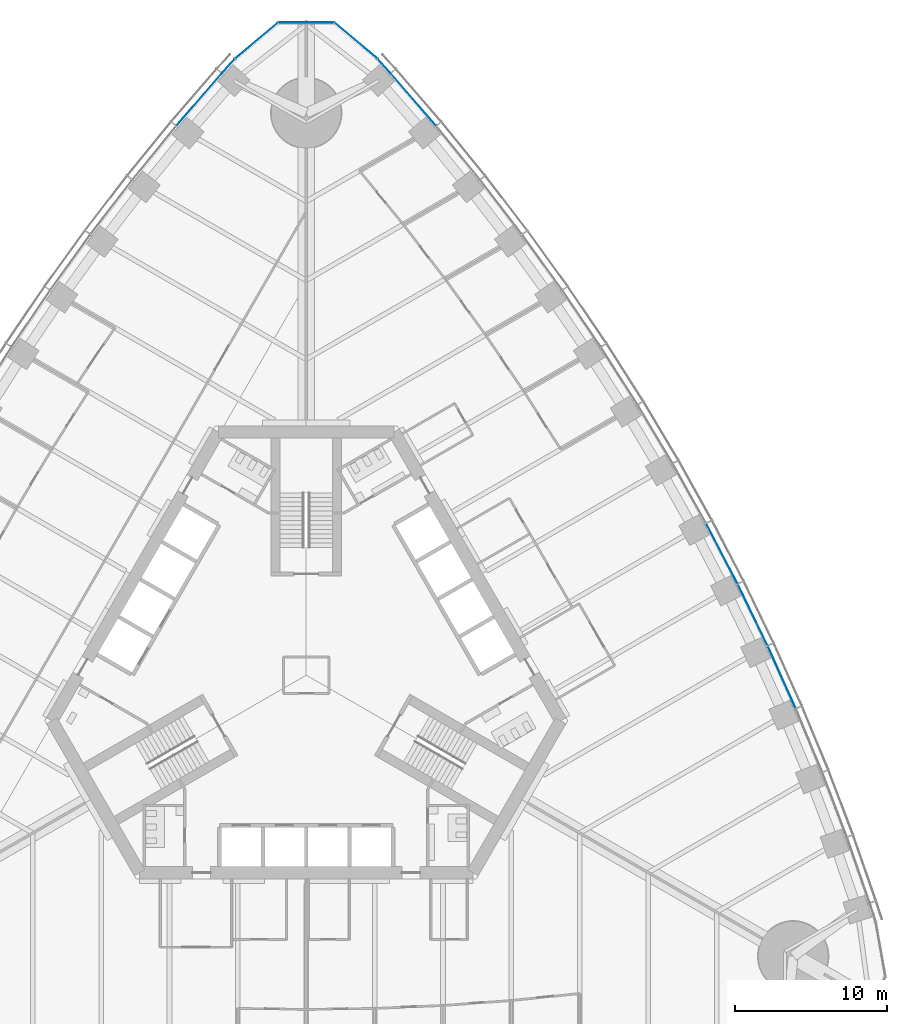
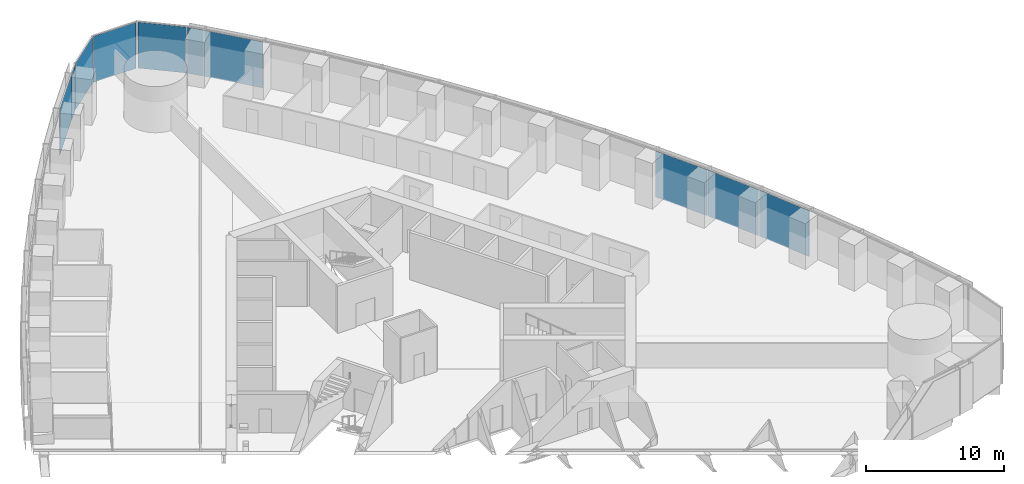
# One storey, part 9 of 18: 10 plates, 3 elements without a shape of their own.
"""IFC4 building model written with IfcOpenShell, lengths in metres."""

import ifcopenshell
import ifcopenshell.guid

model = None  # the IFC model being written
_history = None  # IfcOwnerHistory: only IFC2X3 demands one
_inside = {}  # id of a spatial element -> (the spatial element, [elements in it])
_under = {}  # id of a project, library or spatial element -> (it, [spatial elements below it])
_declared = {}  # id of a project -> (the project, [libraries it declares])
_typed = {}  # id of a type object -> (the type object, [elements of that type])
_made_of = {}  # id of a material, layer set ... -> (it, [elements and type objects made of it])


def new_model(schema):
    """Start an empty IFC model of exactly this schema.

    Asked for "IFC4X3", IfcOpenShell would pick the latest addendum, in which some entities
    have other attributes; the version numbers below select the first issue.
    IFC2X3 requires an IfcOwnerHistory on every rooted entity: one is made here for all.
    """
    global model, _history
    if schema == "IFC4X3":
        model = ifcopenshell.file(schema_version=(4, 3, 0, 0))
    else:
        model = ifcopenshell.file(schema=schema)
    _inside.clear()
    _under.clear()
    _declared.clear()
    _typed.clear()
    _made_of.clear()
    _history = None
    if model.schema == "IFC2X3":
        org = make("IfcOrganization", Name="unknown")
        user = make(
            "IfcPersonAndOrganization",
            ThePerson=make("IfcPerson", FamilyName="unknown"),
            TheOrganization=org,
        )
        app = make(
            "IfcApplication",
            ApplicationDeveloper=org,
            Version="unknown",
            ApplicationFullName="unknown",
            ApplicationIdentifier="unknown",
        )
        _history = make(
            "IfcOwnerHistory",
            OwningUser=user,
            OwningApplication=app,
            ChangeAction="ADDED",
            CreationDate=0,
        )
    return model


def make(cls, **values):
    """One entity of the class cls with the attributes given. An attribute that is None is left unset."""
    return model.create_entity(
        cls, **{name: value for name, value in values.items() if value is not None}
    )


def rooted(cls, **values):
    """An entity with a GlobalId (a new one), such as an element, a storey or a relation."""
    return make(cls, GlobalId=ifcopenshell.guid.new(), OwnerHistory=_history, **values)


def si_unit(unit_type, name, prefix=None):
    """IfcSIUnit, for example si_unit("LENGTHUNIT", "METRE", prefix="MILLI")."""
    return make("IfcSIUnit", UnitType=unit_type, Prefix=prefix, Name=name)


def assignment(units):
    """IfcUnitAssignment: the units of a project."""
    return None if units is None else make("IfcUnitAssignment", Units=units)


def point(xyz):
    """IfcCartesianPoint."""
    return None if xyz is None else make("IfcCartesianPoint", Coordinates=xyz)


def direction(xyz):
    """IfcDirection."""
    return None if xyz is None else make("IfcDirection", DirectionRatios=xyz)


def frame(location, z_axis=None, x_axis=None):
    """IfcAxis2Placement3D, a coordinate frame: its origin and axes. An axis left out is left unset."""
    return make(
        "IfcAxis2Placement3D",
        Location=point(location),
        Axis=direction(z_axis),
        RefDirection=direction(x_axis),
    )


def frame_2d(location, x_axis=None):
    """IfcAxis2Placement2D, a coordinate frame in the plane: its origin and x axis."""
    return make(
        "IfcAxis2Placement2D", Location=point(location), RefDirection=direction(x_axis)
    )


def origin():
    """The frame at (0, 0, 0) with its axes left unset."""
    return frame((0.0, 0.0, 0.0))


def origin_2d():
    """The frame at (0, 0) in the plane with its x axis left unset."""
    return frame_2d((0.0, 0.0))


def place(relative_to, where):
    """IfcLocalPlacement: puts the frame where relative to a parent placement (None: the world)."""
    return make(
        "IfcLocalPlacement", PlacementRelTo=relative_to, RelativePlacement=where
    )


def context(
    kind, dimensions, precision=None, world=None, true_north=None, identifier=None
):
    """IfcGeometricRepresentationContext, for example the 3D "Model" context."""
    return make(
        "IfcGeometricRepresentationContext",
        ContextIdentifier=identifier,
        ContextType=kind,
        CoordinateSpaceDimension=dimensions,
        Precision=precision,
        WorldCoordinateSystem=world,
        TrueNorth=true_north,
    )


def subcontext(parent, identifier, kind, view, scale=None):
    """IfcGeometricRepresentationSubContext, for example "Body" below "Model"."""
    return make(
        "IfcGeometricRepresentationSubContext",
        ContextIdentifier=identifier,
        ContextType=kind,
        ParentContext=parent,
        TargetScale=scale,
        TargetView=view,
    )


def project(units=None, contexts=None):
    """IfcProject with its units and contexts."""
    return rooted(
        "IfcProject",
        Name="project",
        RepresentationContexts=contexts,
        UnitsInContext=assignment(units),
    )


def spatial(cls, under=None, at=None, **own):
    """A site, building, storey or space (cls), placed at a placement, below another one or the project."""
    s = rooted(cls, ObjectPlacement=at, **own)
    if under is not None:
        _under.setdefault(under.id(), (under, []))[1].append(s)
    return s


def profile(cls, at=None, kind="AREA", **sizes):
    """A parametric profile (cls). Its sizes go by their IFC names, for example OverallWidth=200.0."""
    return make(cls, ProfileType=kind, Position=at, **sizes)


def rectangle(**sizes):
    """IfcRectangleProfileDef."""
    return profile("IfcRectangleProfileDef", **sizes)


def extrude(swept, where, along, depth):
    """IfcExtrudedAreaSolid: the profile swept, set in the frame where, extruded along a direction by depth."""
    return make(
        "IfcExtrudedAreaSolid",
        SweptArea=swept,
        Position=where,
        ExtrudedDirection=direction(along),
        Depth=depth,
    )


def shape(context_of_items, identifier, shape_type, items):
    """IfcShapeRepresentation: the items that make up one representation, for example the "Body"."""
    return make(
        "IfcShapeRepresentation",
        ContextOfItems=context_of_items,
        RepresentationIdentifier=identifier,
        RepresentationType=shape_type,
        Items=items,
    )


def material(Name=None, Category=None):
    """IfcMaterial."""
    return make("IfcMaterial", Name=Name, Category=Category)


def layer(
    of_material, thickness, ventilated=None, Name=None, Category=None, Priority=None
):
    """IfcMaterialLayer: one layer of a wall or slab, of a material (None: an air gap)."""
    return make(
        "IfcMaterialLayer",
        Material=of_material,
        LayerThickness=thickness,
        IsVentilated=ventilated,
        Name=Name,
        Category=Category,
        Priority=Priority,
    )


def layer_set(layers, Name=None):
    """IfcMaterialLayerSet."""
    return make("IfcMaterialLayerSet", MaterialLayers=layers, LayerSetName=Name)


def made_of(thing, what):
    """Note that an element or type object is made of a material, layer set ...; save() writes the relation."""
    if what is not None:
        _made_of.setdefault(what.id(), (what, []))[1].append(thing)
    return thing


def type_object(cls, material=None, **own):
    """A type object (cls), such as IfcWallType, which elements share."""
    return made_of(rooted(cls, **own), material)


def element(
    cls,
    number,
    at=None,
    inside=None,
    cuts=None,
    type_object=None,
    material=None,
    context=None,
    identifier="Body",
    shape_type=None,
    held_by="IfcProductDefinitionShape",
    body=None,
    shapes=None,
    **own,
):
    """One element of the class cls, such as IfcWall. Its Tag is "e" and its number.

    at: its placement. inside: the storey or other place that contains it. cuts: it is an
    opening in that element (IfcRelVoidsElement). A single representation is given by context,
    identifier, shape_type and body (its items); several are given by shapes. held_by: the class
    of the entity that holds the representations. save() writes the other relations.
    """
    e = rooted(cls, Tag="e%d" % number, ObjectPlacement=at, **own)
    if body is not None:
        shapes = [shape(context, identifier, shape_type, body)]
    if shapes is not None:
        e.Representation = make(held_by, Representations=shapes)
    if inside is not None:
        _inside.setdefault(inside.id(), (inside, []))[1].append(e)
    if cuts is not None:
        rooted(
            "IfcRelVoidsElement", RelatingBuildingElement=cuts, RelatedOpeningElement=e
        )
    if type_object is not None:
        _typed.setdefault(type_object.id(), (type_object, []))[1].append(e)
    return made_of(e, material)


def aggregate(whole, parts):
    """IfcRelAggregates: a whole, such as a stair, and the parts it consists of."""
    return rooted("IfcRelAggregates", RelatingObject=whole, RelatedObjects=parts)


def save(model, path):
    """Write the relations noted so far, then the file.

    IfcRelAggregates (storeys below a building ...), IfcRelContainedInSpatialStructure (elements
    in a storey), IfcRelDefinesByType, IfcRelAssociatesMaterial and IfcRelDeclares: one each for
    every whole, place, type object, material and project.
    """
    for whole, parts in _under.values():
        aggregate(whole, parts)
    for where, things in _inside.values():
        rooted(
            "IfcRelContainedInSpatialStructure",
            RelatedElements=things,
            RelatingStructure=where,
        )
    for kind, things in _typed.values():
        rooted("IfcRelDefinesByType", RelatedObjects=things, RelatingType=kind)
    for what, things in _made_of.values():
        rooted("IfcRelAssociatesMaterial", RelatedObjects=things, RelatingMaterial=what)
    for by, libraries in _declared.values():
        rooted("IfcRelDeclares", RelatingContext=by, RelatedDefinitions=libraries)
    model.write(path)


model = new_model("IFC4")

# Units and contexts
model_context = context("Model", 3, precision=1e-05, world=origin(), true_north=direction((0.0, 1.0)))
body_context = subcontext(model_context, "Body", "Model", "MODEL_VIEW")
ifc_project = project(units=[si_unit("LENGTHUNIT", "METRE"), si_unit("AREAUNIT", "SQUARE_METRE"), si_unit("VOLUMEUNIT", "CUBIC_METRE"), si_unit("PLANEANGLEUNIT", "RADIAN"), si_unit("MASSUNIT", "GRAM", prefix="KILO")], contexts=[model_context])

# Site, building, storey
site_placement = place(None, origin())
site = spatial("IfcSite", under=ifc_project, at=site_placement, CompositionType="ELEMENT")
building_placement = place(site_placement, origin())
building = spatial("IfcBuilding", under=site, at=building_placement, Name="Trefoil Bronze Tower", CompositionType="ELEMENT")
storey_placement = place(building_placement, frame((0.0, 0.0, 24.89990234375)))
storey = spatial("IfcBuildingStorey", under=building, at=storey_placement, Name="L05", CompositionType="ELEMENT", Elevation=24.89990234375)

# Curtain wall, plates
ifc_material_1 = material(Name="Tinted solar-control glass", Category="glass")
curtain_wall_type_1 = type_object("IfcCurtainWallType", Name="Bronze office curtain wall", PredefinedType="USERDEFINED", material=ifc_material_1)
curtain_wall_1_placement = place(storey_placement, origin())
curtain_wall_1 = element("IfcCurtainWall", 1, at=curtain_wall_1_placement, inside=storey, type_object=curtain_wall_type_1, Name="CW-A L05 F2", ObjectType="CURTAIN WALL", PredefinedType="USERDEFINED")
ifc_material_2 = material(Name="Tinted solar-control glass", Category="glass")
ifc_layer_1 = layer(ifc_material_2, 0.030029296875)
ifc_layer_set_1 = layer_set([ifc_layer_1], Name="Bronze office curtain wall glass panel")
plate_type_1 = type_object("IfcPlateType", Name="Bronze office curtain wall glass panel", PredefinedType="CURTAIN_PANEL", material=ifc_layer_set_1)
plate_1_placement = place(storey_placement, frame((31.28857421875, -0.1337890625, 0.0), z_axis=(0.0, 0.0, 1.0), x_axis=(-0.40945635808, 0.912329705111, 0.0)))
plate_1 = element("IfcPlate", 2, at=plate_1_placement, type_object=plate_type_1, Name="CW-A L05 F2 panel 5", PredefinedType="CURTAIN_PANEL", context=body_context, shape_type="SweptSolid", body=[
    extrude(rectangle(XDim=4.443359375, YDim=0.030029296875, at=origin_2d()), origin(), (0.0, 0.0, 1.0), 4.080078125),
])
plate_2_placement = place(storey_placement, frame((29.3779296875, 3.962646484375, 0.0), z_axis=(0.0, 0.0, 1.0), x_axis=(-0.4358553457, 0.900016731858, 0.0)))
plate_2 = element("IfcPlate", 3, at=plate_2_placement, type_object=plate_type_1, Name="CW-A L05 F2 panel 6", PredefinedType="CURTAIN_PANEL", context=body_context, shape_type="SweptSolid", body=[
    extrude(rectangle(XDim=4.431884765625, YDim=0.030029296875, at=origin_2d()), origin(), (0.0, 0.0, 1.0), 4.080078125),
])
plate_3_placement = place(storey_placement, frame((27.353271484375, 7.9931640625, 0.0), z_axis=(0.0, 0.0, 1.0), x_axis=(-0.46182981834, 0.886968555752, 0.0)))
plate_3 = element("IfcPlate", 4, at=plate_3_placement, type_object=plate_type_1, Name="CW-A L05 F2 panel 7", PredefinedType="CURTAIN_PANEL", context=body_context, shape_type="SweptSolid", body=[
    extrude(rectangle(XDim=4.42431640625, YDim=0.030029296875, at=origin_2d()), origin(), (0.0, 0.0, 1.0), 4.080078125),
])
plate_4_placement = place(storey_placement, frame((7.056396484375, 37.870849609375, 0.0), z_axis=(0.0, 0.0, 1.0), x_axis=(-0.654376090833, 0.756169248083, 0.0)))
plate_4 = element("IfcPlate", 5, at=plate_4_placement, type_object=plate_type_1, Name="CW-A L05 F2 panel 15", PredefinedType="CURTAIN_PANEL", context=body_context, shape_type="SweptSolid", body=[
    extrude(rectangle(XDim=4.502197265625, YDim=0.030029296875, at=origin_2d()), origin(), (0.0, 0.0, 1.0), 4.080078125),
])
plate_5_placement = place(storey_placement, frame((5.12451171875, 40.08447265625, 0.0), z_axis=(0.0, 0.0, 1.0), x_axis=(-0.668575006272, 0.743644714221, 0.0)))
plate_5 = element("IfcPlate", 6, at=plate_5_placement, type_object=plate_type_1, Name="CW-A L05 F2 panel 16", PredefinedType="CURTAIN_PANEL", context=body_context, shape_type="SweptSolid", body=[
    extrude(rectangle(XDim=1.21044921875, YDim=0.030029296875, at=origin_2d()), origin(), (0.0, 0.0, 1.0), 4.080078125),
])
aggregate(curtain_wall_1, [plate_1, plate_2, plate_3, plate_4, plate_5])

curtain_wall_2_placement = place(storey_placement, origin())
curtain_wall_2 = element("IfcCurtainWall", 7, at=curtain_wall_2_placement, inside=storey, type_object=curtain_wall_type_1, Name="CW-A L05 F3", ObjectType="CURTAIN WALL", PredefinedType="USERDEFINED")
plate_6_placement = place(storey_placement, frame((-5.12451171875, 40.08447265625, 0.0), z_axis=(0.0, 0.0, 1.0), x_axis=(-0.668575006272, -0.743644714221, 0.0)))
plate_6 = element("IfcPlate", 8, at=plate_6_placement, type_object=plate_type_1, Name="CW-A L05 F3 panel 1", PredefinedType="CURTAIN_PANEL", context=body_context, shape_type="SweptSolid", body=[
    extrude(rectangle(XDim=1.21044921875, YDim=0.030029296875, at=origin_2d()), origin(), (0.0, 0.0, 1.0), 4.080078125),
])
plate_7_placement = place(storey_placement, frame((-7.056396484375, 37.870849609375, 0.0), z_axis=(0.0, 0.0, 1.0), x_axis=(-0.654376090833, -0.756169248083, 0.0)))
plate_7 = element("IfcPlate", 9, at=plate_7_placement, type_object=plate_type_1, Name="CW-A L05 F3 panel 2", PredefinedType="CURTAIN_PANEL", context=body_context, shape_type="SweptSolid", body=[
    extrude(rectangle(XDim=4.502197265625, YDim=0.030029296875, at=origin_2d()), origin(), (0.0, 0.0, 1.0), 4.080078125),
])
aggregate(curtain_wall_2, [plate_6, plate_7])

ifc_material_3 = material(Name="Tinted solar-control glass", Category="glass")
curtain_wall_type_2 = type_object("IfcCurtainWallType", Name="Bronze rounded corner curtain wall", PredefinedType="USERDEFINED", material=ifc_material_3)
curtain_wall_3_placement = place(storey_placement, origin())
curtain_wall_3 = element("IfcCurtainWall", 10, at=curtain_wall_3_placement, inside=storey, type_object=curtain_wall_type_2, Name="CW-B L05 K2", ObjectType="CURTAIN WALL", PredefinedType="USERDEFINED")
ifc_material_4 = material(Name="Tinted solar-control glass", Category="glass")
ifc_layer_2 = layer(ifc_material_4, 0.030029296875)
ifc_layer_set_2 = layer_set([ifc_layer_2], Name="Bronze rounded corner curtain wall glass panel")
plate_type_2 = type_object("IfcPlateType", Name="Bronze rounded corner curtain wall glass panel", PredefinedType="CURTAIN_PANEL", material=ifc_layer_set_2)
plate_8_placement = place(storey_placement, frame((3.28564453125, 41.74658203125, 0.0), z_axis=(0.0, 0.0, 1.0), x_axis=(-0.766044443119, 0.642787609687, 0.0)))
plate_8 = element("IfcPlate", 11, at=plate_8_placement, type_object=plate_type_2, Name="CW-B L05 K2 panel 1", PredefinedType="CURTAIN_PANEL", context=body_context, shape_type="SweptSolid", body=[
    extrude(rectangle(XDim=3.588134765625, YDim=0.030029296875, at=origin_2d()), origin(), (0.0, 0.0, 1.0), 4.080078125),
])
plate_9_placement = place(storey_placement, frame((0.0, 42.9423828125, 0.0), z_axis=(0.0, 0.0, 1.0), x_axis=(-1.0, 0.0, 0.0)))
plate_9 = element("IfcPlate", 12, at=plate_9_placement, type_object=plate_type_2, Name="CW-B L05 K2 panel 2", PredefinedType="CURTAIN_PANEL", context=body_context, shape_type="SweptSolid", body=[
    extrude(rectangle(XDim=3.588134765625, YDim=0.030029296875, at=origin_2d()), origin(), (0.0, 0.0, 1.0), 4.080078125),
])
plate_10_placement = place(storey_placement, frame((-3.28564453125, 41.74658203125, 0.0), z_axis=(0.0, 0.0, 1.0), x_axis=(-0.766044443119, -0.642787609687, 0.0)))
plate_10 = element("IfcPlate", 13, at=plate_10_placement, type_object=plate_type_2, Name="CW-B L05 K2 panel 3", PredefinedType="CURTAIN_PANEL", context=body_context, shape_type="SweptSolid", body=[
    extrude(rectangle(XDim=3.588134765625, YDim=0.030029296875, at=origin_2d()), origin(), (0.0, 0.0, 1.0), 4.080078125),
])
aggregate(curtain_wall_3, [plate_8, plate_9, plate_10])

save(model, "model.ifc")
